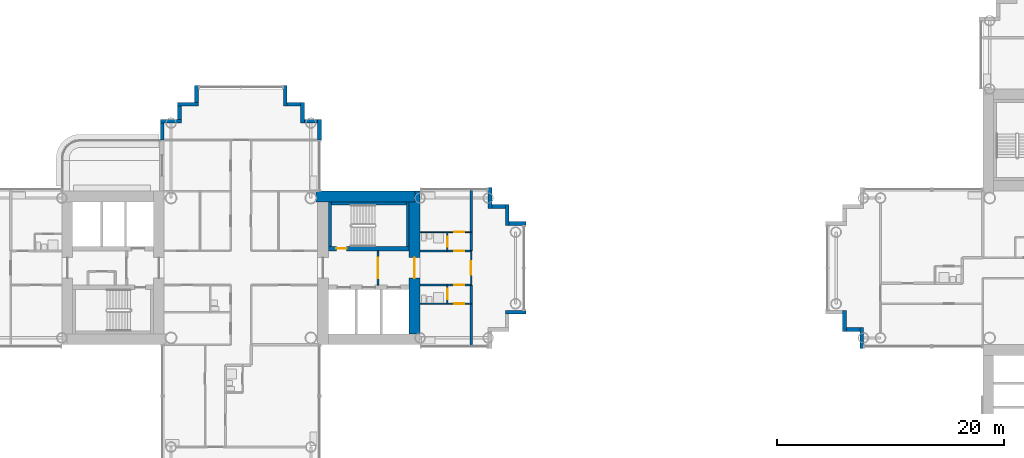
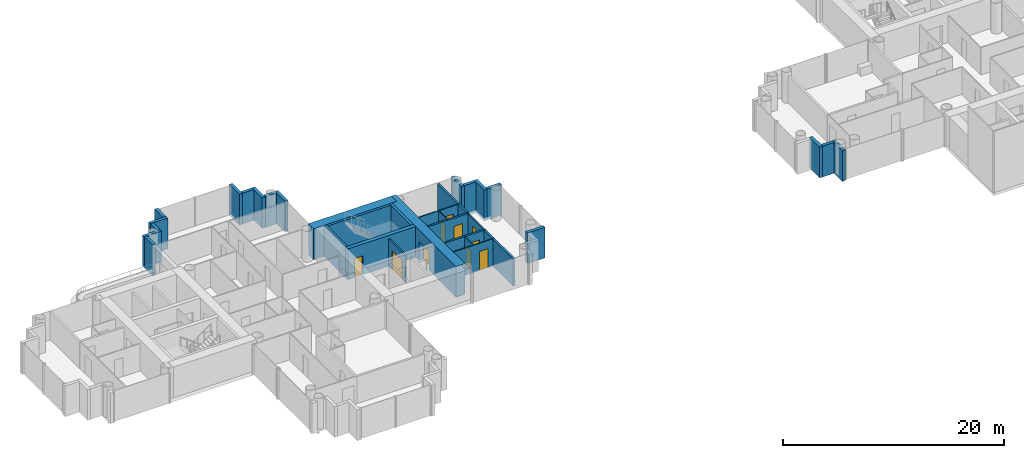
# One storey, part 11 of 21: 34 walls, 10 doors, 10 openings.
"""IFC4 building model written with IfcOpenShell, lengths in metres."""

from ifc_helpers import new_model, si_unit, direction, frame, frame_2d, origin, place, context, subcontext, project, spatial, rectangle, extrude, material, layer, layer_set, type_object, element, fill, save


model = new_model("IFC4")

# Units and contexts
model_context = context("Model", 3, precision=1e-05, world=origin(), true_north=direction((0.0, 1.0)))
body_context = subcontext(model_context, "Body", "Model", "MODEL_VIEW")
ifc_project = project(units=[si_unit("LENGTHUNIT", "METRE"), si_unit("AREAUNIT", "SQUARE_METRE"), si_unit("VOLUMEUNIT", "CUBIC_METRE"), si_unit("PLANEANGLEUNIT", "RADIAN"), si_unit("MASSUNIT", "GRAM", prefix="KILO")], contexts=[model_context])

# Site, building, storey
site_placement = place(None, origin())
site = spatial("IfcSite", under=ifc_project, at=site_placement, CompositionType="ELEMENT")
building_placement = place(site_placement, origin())
building = spatial("IfcBuilding", under=site, at=building_placement, Name="Ipe Terrace Towers", CompositionType="ELEMENT")
storey_placement = place(building_placement, frame((0.0, 0.0, 117.39990234375)))
storey = spatial("IfcBuildingStorey", under=building, at=storey_placement, Name="L32", CompositionType="ELEMENT", Elevation=117.39990234375)

# Walls
ifc_material_1 = material(Name="Concrete C40/50 with buff precast cladding", Category="concrete")
ifc_layer_1 = layer(ifc_material_1, 0.320068359375)
ifc_layer_set_1 = layer_set([ifc_layer_1], Name="BUFF CLADDING WALL 320")
wall_type_1 = type_object("IfcWallType", Name="BUFF CLADDING WALL 320", PredefinedType="STANDARD", material=ifc_layer_set_1)
wall_1_placement = place(storey_placement, frame((-12.75, -3.909912109375, -0.2998046875), z_axis=(0.0, 0.0, 1.0), x_axis=(1.0, 0.0, 0.0)))
element("IfcWall", 1, at=wall_1_placement, inside=storey, type_object=wall_type_1, Name="T1-W-L32-24a wall", PredefinedType="STANDARD", context=body_context, shape_type="SweptSolid", body=[
    extrude(rectangle(XDim=1.820068359375, YDim=0.320068359375, at=frame_2d((0.91015625, 0.0))), origin(), (0.0, 0.0, 1.0), 3.39990234375),
])
wall_2_placement = place(storey_placement, frame((-10.929931640625, 3.909912109375, -0.2998046875), z_axis=(0.0, 0.0, 1.0), x_axis=(-1.0, 0.0, 0.0)))
element("IfcWall", 2, at=wall_2_placement, inside=storey, type_object=wall_type_1, Name="T1-W-L32-26a wall", PredefinedType="STANDARD", context=body_context, shape_type="SweptSolid", body=[
    extrude(rectangle(XDim=1.5, YDim=0.320068359375, at=frame_2d((0.75, 0.0))), origin(), (0.0, 0.0, 1.0), 3.39990234375),
])
wall_3_placement = place(storey_placement, frame((-12.590087890625, 3.75, -0.2998046875), z_axis=(0.0, 0.0, 1.0), x_axis=(0.0, 1.0, 0.0)))
element("IfcWall", 3, at=wall_3_placement, inside=storey, type_object=wall_type_1, Name="T1-W-L32-27a wall", PredefinedType="STANDARD", context=body_context, shape_type="SweptSolid", body=[
    extrude(rectangle(XDim=1.820068359375, YDim=0.320068359375, at=frame_2d((0.91015625, 0.0))), origin(), (0.0, 0.0, 1.0), 3.39990234375),
])
wall_4_placement = place(storey_placement, frame((-12.75, 5.409912109375, -0.2998046875), z_axis=(0.0, 0.0, 1.0), x_axis=(-1.0, 0.0, 0.0)))
element("IfcWall", 4, at=wall_4_placement, inside=storey, type_object=wall_type_1, Name="T1-W-L32-28a wall", PredefinedType="STANDARD", context=body_context, shape_type="SweptSolid", body=[
    extrude(rectangle(XDim=1.179931640625, YDim=0.320068359375, at=frame_2d((0.58984375, 0.0))), origin(), (0.0, 0.0, 1.0), 3.39990234375),
])
for number, where, z_axis, x_axis, name in (
    (5, (-14.090087890625, 5.25, -0.2998046875), (0.0, 0.0, 1.0), (0.0, 1.0, 0.0), "T1-W-L32-29a wall"),
    (6, (-29.090087890625, 11.25, -0.2998046875), (0.0, 0.0, 1.0), (0.0, 1.0, 0.0), "T1-W-L32-33a wall"),
):
    element("IfcWall", number, at=place(storey_placement, frame(where, z_axis=z_axis, x_axis=x_axis)), inside=storey, type_object=wall_type_1, Name=name, PredefinedType="STANDARD", context=body_context, shape_type="SweptSolid", body=[
        extrude(rectangle(XDim=1.820068359375, YDim=0.320068359375, at=frame_2d((0.91015625, 0.0))), origin(), (0.0, 0.0, 1.0), 3.39990234375),
    ])
wall_5_placement = place(storey_placement, frame((-29.25, 12.909912109375, -0.2998046875), z_axis=(0.0, 0.0, 1.0), x_axis=(-1.0, 0.0, 0.0)))
element("IfcWall", 7, at=wall_5_placement, inside=storey, type_object=wall_type_1, Name="T1-W-L32-34a wall", PredefinedType="STANDARD", context=body_context, shape_type="SweptSolid", body=[
    extrude(rectangle(XDim=1.179931640625, YDim=0.320068359375, at=frame_2d((0.58984375, 0.0))), origin(), (0.0, 0.0, 1.0), 3.39990234375),
])
wall_6_placement = place(storey_placement, frame((-30.590087890625, 12.75, -0.2998046875), z_axis=(0.0, 0.0, 1.0), x_axis=(0.0, 1.0, 0.0)))
element("IfcWall", 8, at=wall_6_placement, inside=storey, type_object=wall_type_1, Name="T1-W-L32-35a wall", PredefinedType="STANDARD", context=body_context, shape_type="SweptSolid", body=[
    extrude(rectangle(XDim=1.820068359375, YDim=0.320068359375, at=frame_2d((0.91015625, 0.0))), origin(), (0.0, 0.0, 1.0), 3.39990234375),
])
wall_7_placement = place(storey_placement, frame((-30.75, 14.409912109375, -0.2998046875), z_axis=(0.0, 0.0, 1.0), x_axis=(-1.0, 0.0, 0.0)))
element("IfcWall", 9, at=wall_7_placement, inside=storey, type_object=wall_type_1, Name="T1-W-L32-36a wall", PredefinedType="STANDARD", context=body_context, shape_type="SweptSolid", body=[
    extrude(rectangle(XDim=1.179931640625, YDim=0.320068359375, at=frame_2d((0.58984375, 0.0))), origin(), (0.0, 0.0, 1.0), 3.39990234375),
])
wall_8_placement = place(storey_placement, frame((-32.090087890625, 14.25, -0.2998046875), z_axis=(0.0, 0.0, 1.0), x_axis=(0.0, 1.0, 0.0)))
element("IfcWall", 10, at=wall_8_placement, inside=storey, type_object=wall_type_1, Name="T1-W-L32-37a wall", PredefinedType="STANDARD", context=body_context, shape_type="SweptSolid", body=[
    extrude(rectangle(XDim=1.820068359375, YDim=0.320068359375, at=frame_2d((0.91015625, 0.0))), origin(), (0.0, 0.0, 1.0), 3.39990234375),
])
wall_9_placement = place(storey_placement, frame((-39.909912109375, 16.070068359375, -0.2998046875), z_axis=(0.0, 0.0, 1.0), x_axis=(0.0, -1.0, 0.0)))
element("IfcWall", 11, at=wall_9_placement, inside=storey, type_object=wall_type_1, Name="T1-W-L32-39a wall", PredefinedType="STANDARD", context=body_context, shape_type="SweptSolid", body=[
    extrude(rectangle(XDim=1.5, YDim=0.320068359375, at=frame_2d((0.75, 0.0))), origin(), (0.0, 0.0, 1.0), 3.39990234375),
])
wall_10_placement = place(storey_placement, frame((-39.75, 14.409912109375, -0.2998046875), z_axis=(0.0, 0.0, 1.0), x_axis=(-1.0, 0.0, 0.0)))
element("IfcWall", 12, at=wall_10_placement, inside=storey, type_object=wall_type_1, Name="T1-W-L32-40a wall", PredefinedType="STANDARD", context=body_context, shape_type="SweptSolid", body=[
    extrude(rectangle(XDim=1.820068359375, YDim=0.320068359375, at=frame_2d((0.91015625, 0.0))), origin(), (0.0, 0.0, 1.0), 3.39990234375),
])
wall_11_placement = place(storey_placement, frame((-41.409912109375, 14.25, -0.2998046875), z_axis=(0.0, 0.0, 1.0), x_axis=(0.0, -1.0, 0.0)))
element("IfcWall", 13, at=wall_11_placement, inside=storey, type_object=wall_type_1, Name="T1-W-L32-41a wall", PredefinedType="STANDARD", context=body_context, shape_type="SweptSolid", body=[
    extrude(rectangle(XDim=1.179931640625, YDim=0.320068359375, at=frame_2d((0.58984375, 0.0))), origin(), (0.0, 0.0, 1.0), 3.39990234375),
])
wall_12_placement = place(storey_placement, frame((-41.25, 12.909912109375, -0.2998046875), z_axis=(0.0, 0.0, 1.0), x_axis=(-1.0, 0.0, 0.0)))
element("IfcWall", 14, at=wall_12_placement, inside=storey, type_object=wall_type_1, Name="T1-W-L32-42a wall", PredefinedType="STANDARD", context=body_context, shape_type="SweptSolid", body=[
    extrude(rectangle(XDim=1.820068359375, YDim=0.320068359375, at=frame_2d((0.91015625, 0.0))), origin(), (0.0, 0.0, 1.0), 3.39990234375),
])
wall_13_placement = place(storey_placement, frame((-42.909912109375, 12.75, -0.2998046875), z_axis=(0.0, 0.0, 1.0), x_axis=(0.0, -1.0, 0.0)))
element("IfcWall", 15, at=wall_13_placement, inside=storey, type_object=wall_type_1, Name="T1-W-L32-43a wall", PredefinedType="STANDARD", context=body_context, shape_type="SweptSolid", body=[
    extrude(rectangle(XDim=1.5, YDim=0.320068359375, at=frame_2d((0.75, 0.0))), origin(), (0.0, 0.0, 1.0), 3.39990234375),
])
wall_14_placement = place(storey_placement, frame((17.090087890625, -3.75, -0.2998046875), z_axis=(0.0, 0.0, 1.0), x_axis=(0.0, -1.0, 0.0)))
element("IfcWall", 16, at=wall_14_placement, inside=storey, type_object=wall_type_1, Name="T2-W-L32-36a wall", PredefinedType="STANDARD", context=body_context, shape_type="SweptSolid", body=[
    extrude(rectangle(XDim=1.820068359375, YDim=0.320068359375, at=frame_2d((0.91015625, 0.0))), origin(), (0.0, 0.0, 1.0), 3.39990234375),
])
wall_15_placement = place(storey_placement, frame((17.25, -5.409912109375, -0.2998046875), z_axis=(0.0, 0.0, 1.0), x_axis=(1.0, 0.0, 0.0)))
element("IfcWall", 17, at=wall_15_placement, inside=storey, type_object=wall_type_1, Name="T2-W-L32-37a wall", PredefinedType="STANDARD", context=body_context, shape_type="SweptSolid", body=[
    extrude(rectangle(XDim=1.179931640625, YDim=0.320068359375, at=frame_2d((0.58984375, 0.0))), origin(), (0.0, 0.0, 1.0), 3.39990234375),
])
wall_16_placement = place(storey_placement, frame((18.590087890625, -5.25, -0.2998046875), z_axis=(0.0, 0.0, 1.0), x_axis=(0.0, -1.0, 0.0)))
element("IfcWall", 18, at=wall_16_placement, inside=storey, type_object=wall_type_1, Name="T2-W-L32-38a wall", PredefinedType="STANDARD", context=body_context, shape_type="SweptSolid", body=[
    extrude(rectangle(XDim=1.820068359375, YDim=0.320068359375, at=frame_2d((0.91015625, 0.0))), origin(), (0.0, 0.0, 1.0), 3.39990234375),
])

# Wall, opening, door
ifc_material_2 = material(Name="Gypsum board partition", Category="plasterboard")
ifc_layer_2 = layer(ifc_material_2, 0.10009765625)
ifc_layer_set_2 = layer_set([ifc_layer_2], Name="Gypsum board partition 100 mm")
wall_type_2 = type_object("IfcWallType", Name="Gypsum board partition 100 mm", PredefinedType="PARTITIONING", material=ifc_layer_set_2)
wall_17_placement = place(storey_placement, frame((-17.85009765625, -3.14990234375, 0.0), z_axis=(0.0, 0.0, 1.0), x_axis=(0.0, 1.0, 0.0)))
wall_17 = element("IfcWall", 19, at=wall_17_placement, inside=storey, type_object=wall_type_2, Name="Gypsum board partition T1 L32 W15", PredefinedType="PARTITIONING", context=body_context, shape_type="SweptSolid", body=[
    extrude(rectangle(XDim=1.64990234375, YDim=0.10009765625, at=frame_2d((0.824951171875, 0.0))), origin(), (0.0, 0.0, 1.0), 3.0),
])
opening_1_placement = place(wall_17_placement, frame((0.39990234375, 0.0, 0.0)))
opening_1 = element("IfcOpeningElement", 20, at=opening_1_placement, cuts=wall_17, Name="Opening T1-Z2A-21", PredefinedType="OPENING", context=body_context, shape_type="SweptSolid", body=[
    extrude(rectangle(XDim=0.89990234375, YDim=2.10009765625, at=frame_2d((0.449951171875, 1.050048828125))), frame((0.0, 0.06005859375, 0.0), z_axis=(0.0, -1.0, 0.0), x_axis=(1.0, 0.0, 0.0)), (0.0, 0.0, 1.0), 0.1201171875),
])
ifc_material_3 = material(Name="Timber door leaf", Category="wood")
door_type_1 = type_object("IfcDoorType", Name="Bathroom door 900 x 2100", OperationType="NOTDEFINED", PredefinedType="DOOR", material=ifc_material_3)
door_1_placement = place(opening_1_placement, origin())
door_1 = element("IfcDoor", 21, at=door_1_placement, inside=storey, type_object=door_type_1, Name="Bathroom door T1-Z2A-21", OperationType="SINGLE_SWING_LEFT", OverallHeight=2.10009765625, OverallWidth=0.89990234375, PredefinedType="DOOR", context=body_context, shape_type="SweptSolid", body=[
    extrude(rectangle(XDim=0.89990234375, YDim=2.10009765625, at=frame_2d((0.449951171875, 1.050048828125))), frame((0.0, 0.02490234375, 0.0), z_axis=(0.0, -1.0, 0.0), x_axis=(1.0, 0.0, 0.0)), (0.0, 0.0, 1.0), 0.050048828125),
])
fill(opening_1, door_1)

wall_18_placement = place(storey_placement, frame((-17.85009765625, 1.5, 0.0), z_axis=(0.0, 0.0, 1.0), x_axis=(0.0, 1.0, 0.0)))
wall_18 = element("IfcWall", 22, at=wall_18_placement, inside=storey, type_object=wall_type_2, Name="Gypsum board partition T1 L32 W16", PredefinedType="PARTITIONING", context=body_context, shape_type="SweptSolid", body=[
    extrude(rectangle(XDim=1.64990234375, YDim=0.10009765625, at=frame_2d((0.824951171875, 0.0))), origin(), (0.0, 0.0, 1.0), 3.0),
])
opening_2_placement = place(wall_18_placement, frame((0.35009765625, 0.0, 0.0)))
opening_2 = element("IfcOpeningElement", 23, at=opening_2_placement, cuts=wall_18, Name="Opening T1-Z2A-18", PredefinedType="OPENING", context=body_context, shape_type="SweptSolid", body=[
    extrude(rectangle(XDim=0.89990234375, YDim=2.10009765625, at=frame_2d((0.449951171875, 1.050048828125))), frame((0.0, 0.06005859375, 0.0), z_axis=(0.0, -1.0, 0.0), x_axis=(1.0, 0.0, 0.0)), (0.0, 0.0, 1.0), 0.1201171875),
])
door_2_placement = place(opening_2_placement, origin())
door_2 = element("IfcDoor", 24, at=door_2_placement, inside=storey, type_object=door_type_1, Name="Bathroom door T1-Z2A-18", OperationType="SINGLE_SWING_RIGHT", OverallHeight=2.10009765625, OverallWidth=0.89990234375, PredefinedType="DOOR", context=body_context, shape_type="SweptSolid", body=[
    extrude(rectangle(XDim=0.89990234375, YDim=2.10009765625, at=frame_2d((0.449951171875, 1.050048828125))), frame((0.0, 0.02490234375, 0.0), z_axis=(0.0, -1.0, 0.0), x_axis=(1.0, 0.0, 0.0)), (0.0, 0.0, 1.0), 0.050048828125),
])
fill(opening_2, door_2)

wall_19_placement = place(storey_placement, frame((-15.75, -1.5, 0.0), z_axis=(0.0, 0.0, 1.0), x_axis=(0.0, 1.0, 0.0)))
wall_19 = element("IfcWall", 25, at=wall_19_placement, inside=storey, type_object=wall_type_2, Name="Gypsum board partition T1 L32 W17", PredefinedType="PARTITIONING", context=body_context, shape_type="SweptSolid", body=[
    extrude(rectangle(XDim=3.0, YDim=0.10009765625, at=frame_2d((1.5, 0.0))), origin(), (0.0, 0.0, 1.0), 3.0),
])
opening_3_placement = place(wall_19_placement, frame((0.89990234375, 0.0, 0.0)))
opening_3 = element("IfcOpeningElement", 26, at=opening_3_placement, cuts=wall_19, Name="Opening T1-Z2A-22", PredefinedType="OPENING", context=body_context, shape_type="SweptSolid", body=[
    extrude(rectangle(XDim=1.199951171875, YDim=2.10009765625, at=frame_2d((0.60009765625, 1.050048828125))), frame((0.0, 0.06005859375, 0.0), z_axis=(0.0, -1.0, 0.0), x_axis=(1.0, 0.0, 0.0)), (0.0, 0.0, 1.0), 0.1201171875),
])
ifc_material_4 = material(Name="Timber door leaf", Category="wood")
door_type_2 = type_object("IfcDoorType", Name="Lounge door 1200 x 2100", OperationType="NOTDEFINED", PredefinedType="DOOR", material=ifc_material_4)
door_3_placement = place(opening_3_placement, origin())
door_3 = element("IfcDoor", 27, at=door_3_placement, inside=storey, type_object=door_type_2, Name="Lounge door T1-Z2A-22", OperationType="SINGLE_SWING_RIGHT", OverallHeight=2.10009765625, OverallWidth=1.199951171875, PredefinedType="DOOR", context=body_context, shape_type="SweptSolid", body=[
    extrude(rectangle(XDim=1.199951171875, YDim=2.10009765625, at=frame_2d((0.60009765625, 1.050048828125))), frame((0.0, 0.02490234375, 0.0), z_axis=(0.0, -1.0, 0.0), x_axis=(1.0, 0.0, 0.0)), (0.0, 0.0, 1.0), 0.050048828125),
])
fill(opening_3, door_3)

wall_20_placement = place(storey_placement, frame((-20.25, -3.14990234375, 0.0), z_axis=(0.0, 0.0, 1.0), x_axis=(1.0, 0.0, 0.0)))
wall_20 = element("IfcWall", 28, at=wall_20_placement, inside=storey, type_object=wall_type_2, Name="Gypsum board partition T1 L32 W27", PredefinedType="PARTITIONING", context=body_context, shape_type="SweptSolid", body=[
    extrude(rectangle(XDim=4.5, YDim=0.10009765625, at=frame_2d((2.25, 0.0))), origin(), (0.0, 0.0, 1.0), 3.0),
])
opening_4_placement = place(wall_20_placement, frame((3.0, 0.0, 0.0)))
opening_4 = element("IfcOpeningElement", 29, at=opening_4_placement, cuts=wall_20, Name="Opening T1-Z2A-20", PredefinedType="OPENING", context=body_context, shape_type="SweptSolid", body=[
    extrude(rectangle(XDim=0.89990234375, YDim=2.10009765625, at=frame_2d((0.449951171875, 1.050048828125))), frame((0.0, 0.06005859375, 0.0), z_axis=(0.0, -1.0, 0.0), x_axis=(1.0, 0.0, 0.0)), (0.0, 0.0, 1.0), 0.1201171875),
])
ifc_material_5 = material(Name="Timber door leaf", Category="wood")
door_type_3 = type_object("IfcDoorType", Name="Bedroom door 900 x 2100", OperationType="NOTDEFINED", PredefinedType="DOOR", material=ifc_material_5)
door_4_placement = place(opening_4_placement, origin())
door_4 = element("IfcDoor", 30, at=door_4_placement, inside=storey, type_object=door_type_3, Name="Bedroom door T1-Z2A-20", OperationType="SINGLE_SWING_RIGHT", OverallHeight=2.10009765625, OverallWidth=0.89990234375, PredefinedType="DOOR", context=body_context, shape_type="SweptSolid", body=[
    extrude(rectangle(XDim=0.89990234375, YDim=2.10009765625, at=frame_2d((0.449951171875, 1.050048828125))), frame((0.0, 0.02490234375, 0.0), z_axis=(0.0, -1.0, 0.0), x_axis=(1.0, 0.0, 0.0)), (0.0, 0.0, 1.0), 0.050048828125),
])
fill(opening_4, door_4)

wall_21_placement = place(storey_placement, frame((-20.25, 3.14990234375, 0.0), z_axis=(0.0, 0.0, 1.0), x_axis=(1.0, 0.0, 0.0)))
wall_21 = element("IfcWall", 31, at=wall_21_placement, inside=storey, type_object=wall_type_2, Name="Gypsum board partition T1 L32 W37", PredefinedType="PARTITIONING", context=body_context, shape_type="SweptSolid", body=[
    extrude(rectangle(XDim=4.5, YDim=0.10009765625, at=frame_2d((2.25, 0.0))), origin(), (0.0, 0.0, 1.0), 3.0),
])
opening_5_placement = place(wall_21_placement, frame((3.0, 0.0, 0.0)))
opening_5 = element("IfcOpeningElement", 32, at=opening_5_placement, cuts=wall_21, Name="Opening T1-Z2A-17", PredefinedType="OPENING", context=body_context, shape_type="SweptSolid", body=[
    extrude(rectangle(XDim=0.89990234375, YDim=2.10009765625, at=frame_2d((0.449951171875, 1.050048828125))), frame((0.0, 0.06005859375, 0.0), z_axis=(0.0, -1.0, 0.0), x_axis=(1.0, 0.0, 0.0)), (0.0, 0.0, 1.0), 0.1201171875),
])
door_5_placement = place(opening_5_placement, origin())
door_5 = element("IfcDoor", 33, at=door_5_placement, inside=storey, type_object=door_type_3, Name="Bedroom door T1-Z2A-17", OperationType="SINGLE_SWING_LEFT", OverallHeight=2.10009765625, OverallWidth=0.89990234375, PredefinedType="DOOR", context=body_context, shape_type="SweptSolid", body=[
    extrude(rectangle(XDim=0.89990234375, YDim=2.10009765625, at=frame_2d((0.449951171875, 1.050048828125))), frame((0.0, 0.02490234375, 0.0), z_axis=(0.0, -1.0, 0.0), x_axis=(1.0, 0.0, 0.0)), (0.0, 0.0, 1.0), 0.050048828125),
])
fill(opening_5, door_5)

ifc_material_6 = material(Name="Gypsum board partition", Category="plasterboard")
ifc_layer_3 = layer(ifc_material_6, 0.14990234375)
ifc_layer_set_3 = layer_set([ifc_layer_3], Name="Gypsum board partition 150 mm")
wall_type_3 = type_object("IfcWallType", Name="Gypsum board partition 150 mm", PredefinedType="PARTITIONING", material=ifc_layer_set_3)
wall_22_placement = place(storey_placement, frame((-23.949951171875, -1.5, 0.0), z_axis=(0.0, 0.0, 1.0), x_axis=(0.0, 1.0, 0.0)))
wall_22 = element("IfcWall", 34, at=wall_22_placement, inside=storey, type_object=wall_type_3, Name="Gypsum board partition T1 L32 t1c1-lobby-wall", PredefinedType="PARTITIONING", context=body_context, shape_type="SweptSolid", body=[
    extrude(rectangle(XDim=3.0, YDim=0.14990234375, at=frame_2d((1.5, 0.0))), origin(), (0.0, 0.0, 1.0), 3.0),
])
opening_6_placement = place(wall_22_placement, frame((0.60009765625, 0.0, 0.0)))
opening_6 = element("IfcOpeningElement", 35, at=opening_6_placement, cuts=wall_22, Name="Opening T1C1-VD", PredefinedType="OPENING", context=body_context, shape_type="SweptSolid", body=[
    extrude(rectangle(XDim=1.800048828125, YDim=2.10009765625, at=frame_2d((0.89990234375, 1.050048828125))), frame((0.0, 0.0849609375, 0.0), z_axis=(0.0, -1.0, 0.0), x_axis=(1.0, 0.0, 0.0)), (0.0, 0.0, 1.0), 0.169921875),
])
ifc_material_7 = material(Name="Fire-rated timber door leaf", Category="wood")
door_type_4 = type_object("IfcDoorType", Name="Lobby door 1800 x 2100 FD60", OperationType="NOTDEFINED", PredefinedType="DOOR", material=ifc_material_7)
door_6_placement = place(opening_6_placement, origin())
door_6 = element("IfcDoor", 36, at=door_6_placement, inside=storey, type_object=door_type_4, Name="Lobby door T1C1-VD", OperationType="SINGLE_SWING_LEFT", OverallHeight=2.10009765625, OverallWidth=1.800048828125, PredefinedType="DOOR", context=body_context, shape_type="SweptSolid", body=[
    extrude(rectangle(XDim=1.800048828125, YDim=2.10009765625, at=frame_2d((0.89990234375, 1.050048828125))), frame((0.0, 0.02490234375, 0.0), z_axis=(0.0, -1.0, 0.0), x_axis=(1.0, 0.0, 0.0)), (0.0, 0.0, 1.0), 0.050048828125),
])
fill(opening_6, door_6)

# Walls
ifc_material_8 = material(Name="Gypsum board party wall", Category="plasterboard")
ifc_layer_4 = layer(ifc_material_8, 0.199951171875)
ifc_layer_set_4 = layer_set([ifc_layer_4], Name="Gypsum board party wall 200 mm")
wall_type_4 = type_object("IfcWallType", Name="Gypsum board party wall 200 mm", PredefinedType="SOLIDWALL", material=ifc_layer_set_4)
for number, where, z_axis, x_axis, name in (
    (37, (-15.75, -6.85009765625, 0.0), (0.0, 0.0, 1.0), (0.0, 1.0, 0.0), "Gypsum board party wall T1 L32 W18"),
    (38, (-15.75, 1.5, 0.0), (0.0, 0.0, 1.0), (0.0, 1.0, 0.0), "Gypsum board party wall T1 L32 W19"),
):
    element("IfcWall", number, at=place(storey_placement, frame(where, z_axis=z_axis, x_axis=x_axis)), inside=storey, type_object=wall_type_4, Name=name, PredefinedType="SOLIDWALL", context=body_context, shape_type="SweptSolid", body=[
        extrude(rectangle(XDim=5.35009765625, YDim=0.199951171875, at=frame_2d((2.675048828125, 0.0))), origin(), (0.0, 0.0, 1.0), 3.0),
    ])

# Wall, opening, door
wall_23_placement = place(storey_placement, frame((-20.25, -1.5, 0.0), z_axis=(0.0, 0.0, 1.0), x_axis=(1.0, 0.0, 0.0)))
wall_23 = element("IfcWall", 39, at=wall_23_placement, inside=storey, type_object=wall_type_4, Name="Gypsum board party wall T1 L32 W31", PredefinedType="SOLIDWALL", context=body_context, shape_type="SweptSolid", body=[
    extrude(rectangle(XDim=4.5, YDim=0.199951171875, at=frame_2d((2.25, 0.0))), origin(), (0.0, 0.0, 1.0), 3.0),
])
opening_7_placement = place(wall_23_placement, frame((3.0, 0.0, 0.0)))
opening_7 = element("IfcOpeningElement", 40, at=opening_7_placement, cuts=wall_23, Name="Opening T1-Z2A-19", PredefinedType="OPENING", context=body_context, shape_type="SweptSolid", body=[
    extrude(rectangle(XDim=0.89990234375, YDim=2.10009765625, at=frame_2d((0.449951171875, 1.050048828125))), frame((0.0, 0.10986328125, 0.0), z_axis=(0.0, -1.0, 0.0), x_axis=(1.0, 0.0, 0.0)), (0.0, 0.0, 1.0), 0.219970703125),
])
ifc_material_9 = material(Name="Fire-rated timber door leaf", Category="wood")
door_type_5 = type_object("IfcDoorType", Name="Flat entrance door 900 x 2100 FD30S", OperationType="NOTDEFINED", PredefinedType="DOOR", material=ifc_material_9)
door_7_placement = place(opening_7_placement, origin())
door_7 = element("IfcDoor", 41, at=door_7_placement, inside=storey, type_object=door_type_5, Name="Flat entrance door T1-Z2A-19", OperationType="SINGLE_SWING_RIGHT", OverallHeight=2.10009765625, OverallWidth=0.89990234375, PredefinedType="DOOR", context=body_context, shape_type="SweptSolid", body=[
    extrude(rectangle(XDim=0.89990234375, YDim=2.10009765625, at=frame_2d((0.449951171875, 1.050048828125))), frame((0.0, 0.02490234375, 0.0), z_axis=(0.0, -1.0, 0.0), x_axis=(1.0, 0.0, 0.0)), (0.0, 0.0, 1.0), 0.050048828125),
])
fill(opening_7, door_7)

wall_24_placement = place(storey_placement, frame((-20.25, 1.5, 0.0), z_axis=(0.0, 0.0, 1.0), x_axis=(1.0, 0.0, 0.0)))
wall_24 = element("IfcWall", 42, at=wall_24_placement, inside=storey, type_object=wall_type_4, Name="Gypsum board party wall T1 L32 W35", PredefinedType="SOLIDWALL", context=body_context, shape_type="SweptSolid", body=[
    extrude(rectangle(XDim=4.5, YDim=0.199951171875, at=frame_2d((2.25, 0.0))), origin(), (0.0, 0.0, 1.0), 3.0),
])
opening_8_placement = place(wall_24_placement, frame((3.0, 0.0, 0.0)))
opening_8 = element("IfcOpeningElement", 43, at=opening_8_placement, cuts=wall_24, Name="Opening T1-Z2A-16", PredefinedType="OPENING", context=body_context, shape_type="SweptSolid", body=[
    extrude(rectangle(XDim=0.89990234375, YDim=2.10009765625, at=frame_2d((0.449951171875, 1.050048828125))), frame((0.0, 0.10986328125, 0.0), z_axis=(0.0, -1.0, 0.0), x_axis=(1.0, 0.0, 0.0)), (0.0, 0.0, 1.0), 0.219970703125),
])
door_8_placement = place(opening_8_placement, origin())
door_8 = element("IfcDoor", 44, at=door_8_placement, inside=storey, type_object=door_type_5, Name="Flat entrance door T1-Z2A-16", OperationType="SINGLE_SWING_LEFT", OverallHeight=2.10009765625, OverallWidth=0.89990234375, PredefinedType="DOOR", context=body_context, shape_type="SweptSolid", body=[
    extrude(rectangle(XDim=0.89990234375, YDim=2.10009765625, at=frame_2d((0.449951171875, 1.050048828125))), frame((0.0, 0.02490234375, 0.0), z_axis=(0.0, -1.0, 0.0), x_axis=(1.0, 0.0, 0.0)), (0.0, 0.0, 1.0), 0.050048828125),
])
fill(opening_8, door_8)

# Walls
ifc_material_10 = material(Name="Concrete C50/60", Category="concrete")
ifc_layer_5 = layer(ifc_material_10, 0.25)
ifc_layer_set_5 = layer_set([ifc_layer_5], Name="RW250 CORE INFILL WALL 250 C50-60")
wall_type_5 = type_object("IfcWallType", Name="RW250 CORE INFILL WALL 250 C50-60", PredefinedType="SHEAR", material=ifc_layer_set_5)
wall_25_placement = place(storey_placement, frame((-21.324951171875, 1.89990234375, 0.0), z_axis=(0.0, 0.0, 1.0), x_axis=(0.0, 1.0, 0.0)))
element("IfcWall", 45, at=wall_25_placement, inside=storey, type_object=wall_type_5, Name="Core infill wall T1-C1-far", PredefinedType="SHEAR", context=body_context, shape_type="SweptSolid", body=[
    extrude(rectangle(XDim=3.900146484375, YDim=0.25, at=frame_2d((1.9501953125, 0.0))), origin(), (0.0, 0.0, 1.0), 3.400146484375),
])
wall_26_placement = place(storey_placement, frame((-28.050048828125, 5.675048828125, 0.0), z_axis=(0.0, 0.0, 1.0), x_axis=(1.0, 0.0, 0.0)))
element("IfcWall", 46, at=wall_26_placement, inside=storey, type_object=wall_type_5, Name="Core infill wall T1-C1-back", PredefinedType="SHEAR", context=body_context, shape_type="SweptSolid", body=[
    extrude(rectangle(XDim=6.60009765625, YDim=0.25, at=frame_2d((3.300048828125, 0.0))), origin(), (0.0, 0.0, 1.0), 3.400146484375),
])
wall_27_placement = place(storey_placement, frame((-28.175048828125, 1.89990234375, 0.0), z_axis=(0.0, 0.0, 1.0), x_axis=(0.0, 1.0, 0.0)))
element("IfcWall", 47, at=wall_27_placement, inside=storey, type_object=wall_type_5, Name="Core infill wall T1-C1-near", PredefinedType="SHEAR", context=body_context, shape_type="SweptSolid", body=[
    extrude(rectangle(XDim=3.900146484375, YDim=0.25, at=frame_2d((1.9501953125, 0.0))), origin(), (0.0, 0.0, 1.0), 3.400146484375),
])

# Wall, opening, door
ifc_material_11 = material(Name="Concrete C50/60", Category="concrete")
ifc_layer_6 = layer(ifc_material_11, 0.39990234375)
ifc_layer_set_6 = layer_set([ifc_layer_6], Name="RW400 CORE SPINE WALL 400 C50-60")
wall_type_6 = type_object("IfcWallType", Name="RW400 CORE SPINE WALL 400 C50-60", PredefinedType="SHEAR", material=ifc_layer_set_6)
wall_28_placement = place(storey_placement, frame((-28.300048828125, 1.699951171875, 0.0), z_axis=(0.0, 0.0, 1.0), x_axis=(1.0, 0.0, 0.0)))
wall_28 = element("IfcWall", 48, at=wall_28_placement, inside=storey, type_object=wall_type_6, Name="Core spine wall T1-C1-Z2-SW2", PredefinedType="SHEAR", context=body_context, shape_type="SweptSolid", body=[
    extrude(rectangle(XDim=7.10009765625, YDim=0.39990234375, at=frame_2d((3.550048828125, 0.0))), origin(), (0.0, 0.0, 1.0), 3.400146484375),
])
opening_9_placement = place(wall_28_placement, frame((0.699951171875, 0.0, 0.0)))
opening_9 = element("IfcOpeningElement", 49, at=opening_9_placement, cuts=wall_28, Name="Opening T1C1-SD", PredefinedType="OPENING", context=body_context, shape_type="SweptSolid", body=[
    extrude(rectangle(XDim=0.89990234375, YDim=2.10009765625, at=frame_2d((0.449951171875, 1.050048828125))), frame((0.0, 0.2099609375, 0.0), z_axis=(0.0, -1.0, 0.0), x_axis=(1.0, 0.0, 0.0)), (0.0, 0.0, 1.0), 0.419921875),
])
ifc_material_12 = material(Name="Fire-rated timber door leaf", Category="wood")
door_type_6 = type_object("IfcDoorType", Name="Stair door 900 x 2100 FD60", OperationType="NOTDEFINED", PredefinedType="DOOR", material=ifc_material_12)
door_9_placement = place(opening_9_placement, origin())
door_9 = element("IfcDoor", 50, at=door_9_placement, inside=storey, type_object=door_type_6, Name="Stair door T1C1-SD", OperationType="SINGLE_SWING_LEFT", OverallHeight=2.10009765625, OverallWidth=0.89990234375, PredefinedType="DOOR", context=body_context, shape_type="SweptSolid", body=[
    extrude(rectangle(XDim=0.89990234375, YDim=2.10009765625, at=frame_2d((0.449951171875, 1.050048828125))), frame((0.0, 0.02490234375, 0.0), z_axis=(0.0, -1.0, 0.0), x_axis=(1.0, 0.0, 0.0)), (0.0, 0.0, 1.0), 0.050048828125),
])
fill(opening_9, door_9)

ifc_material_13 = material(Name="Concrete C50/60", Category="concrete")
ifc_layer_7 = layer(ifc_material_13, 0.949951171875)
ifc_layer_set_7 = layer_set([ifc_layer_7], Name="RW950 CORE WALL 950 C50-60")
wall_type_7 = type_object("IfcWallType", Name="RW950 CORE WALL 950 C50-60", PredefinedType="SHEAR", material=ifc_layer_set_7)
wall_29_placement = place(storey_placement, frame((-20.72509765625, -5.800048828125, 0.0), z_axis=(0.0, 0.0, 1.0), x_axis=(0.0, 1.0, 0.0)))
wall_29 = element("IfcWall", 51, at=wall_29_placement, inside=storey, type_object=wall_type_7, Name="Core wall T1-C1-Z2-W02", PredefinedType="SHEAR", context=body_context, shape_type="SweptSolid", body=[
    extrude(rectangle(XDim=12.550048828125, YDim=0.949951171875, at=frame_2d((6.27490234375, 0.0))), origin(), (0.0, 0.0, 1.0), 3.400146484375),
])
opening_10_placement = place(wall_29_placement, frame((4.89990234375, 0.0, 0.0)))
opening_10 = element("IfcOpeningElement", 52, at=opening_10_placement, cuts=wall_29, Name="Opening T1C1-FD", PredefinedType="OPENING", context=body_context, shape_type="SweptSolid", body=[
    extrude(rectangle(XDim=1.800048828125, YDim=2.10009765625, at=frame_2d((0.89990234375, 1.050048828125))), frame((0.0, 0.48486328125, 0.0), z_axis=(0.0, -1.0, 0.0), x_axis=(1.0, 0.0, 0.0)), (0.0, 0.0, 1.0), 0.969970703125),
])
ifc_material_14 = material(Name="Fire-rated timber door leaf", Category="wood")
door_type_7 = type_object("IfcDoorType", Name="Fire door 1800 x 2100 FD30S", OperationType="NOTDEFINED", PredefinedType="DOOR", material=ifc_material_14)
door_10_placement = place(opening_10_placement, origin())
door_10 = element("IfcDoor", 53, at=door_10_placement, inside=storey, type_object=door_type_7, Name="Fire door T1C1-FD", OperationType="SINGLE_SWING_LEFT", OverallHeight=2.10009765625, OverallWidth=1.800048828125, PredefinedType="DOOR", context=body_context, shape_type="SweptSolid", body=[
    extrude(rectangle(XDim=1.800048828125, YDim=2.10009765625, at=frame_2d((0.89990234375, 1.050048828125))), frame((0.0, 0.02490234375, 0.0), z_axis=(0.0, -1.0, 0.0), x_axis=(1.0, 0.0, 0.0)), (0.0, 0.0, 1.0), 0.050048828125),
])
fill(opening_10, door_10)

# Wall
wall_30_placement = place(storey_placement, frame((-20.701904296875, 6.27490234375, 0.0), z_axis=(0.0, 0.0, 1.0), x_axis=(-1.0, 0.0, 0.0)))
element("IfcWall", 54, at=wall_30_placement, inside=storey, type_object=wall_type_7, Name="Core wall T1-C1-Z2-W03", PredefinedType="SHEAR", context=body_context, shape_type="SweptSolid", body=[
    extrude(rectangle(XDim=8.696044921875, YDim=0.949951171875, at=frame_2d((4.34814453125, 0.0))), origin(), (0.0, 0.0, 1.0), 3.400146484375),
])

save(model, "model.ifc")
